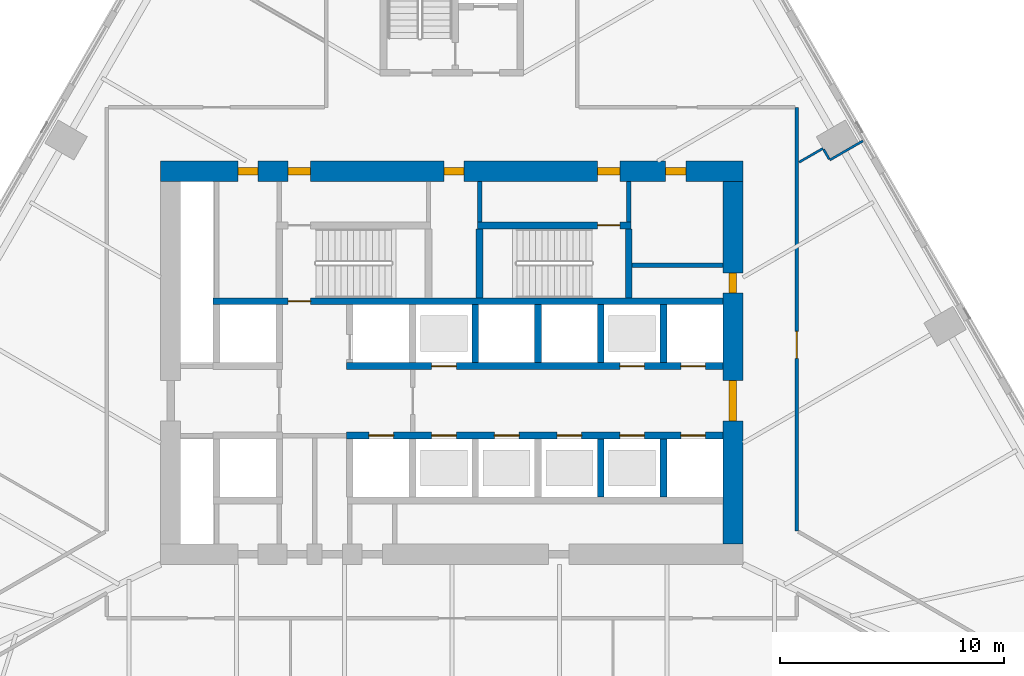
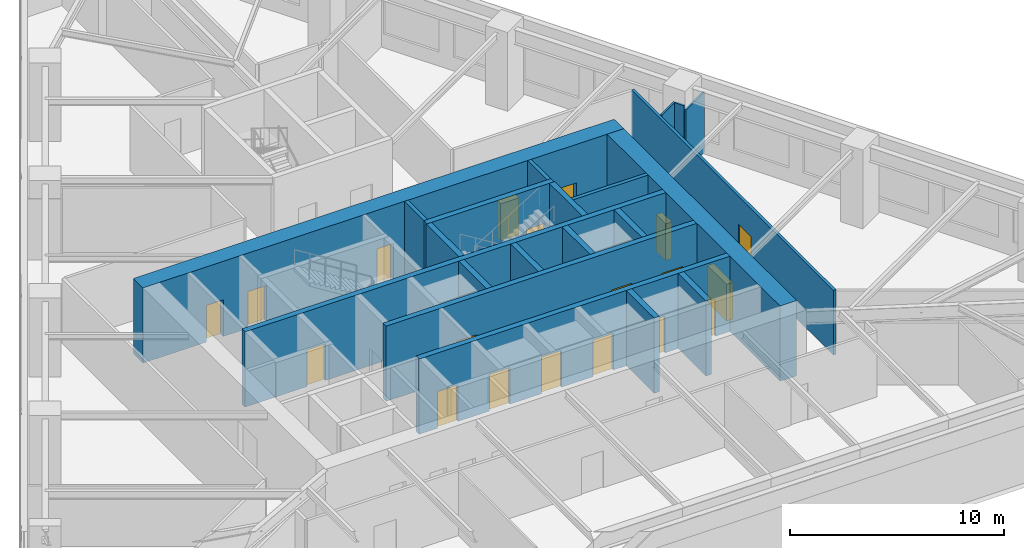
# One storey, part 5 of 14: 21 walls, 19 doors, 19 openings.
"""IFC4 building model written with IfcOpenShell, lengths in metres."""

from ifc_helpers import new_model, si_unit, direction, frame, frame_2d, origin, place, context, subcontext, project, spatial, rectangle, extrude, material, layer, layer_set, type_object, element, fill, save


model = new_model("IFC4")

# Units and contexts
model_context = context("Model", 3, precision=1e-05, world=origin(), true_north=direction((0.0, 1.0)))
body_context = subcontext(model_context, "Body", "Model", "MODEL_VIEW")
ifc_project = project(units=[si_unit("LENGTHUNIT", "METRE"), si_unit("AREAUNIT", "SQUARE_METRE"), si_unit("VOLUMEUNIT", "CUBIC_METRE"), si_unit("PLANEANGLEUNIT", "RADIAN"), si_unit("MASSUNIT", "GRAM", prefix="KILO")], contexts=[model_context])

# Site, building, storey
site_placement = place(None, origin())
site = spatial("IfcSite", under=ifc_project, at=site_placement, CompositionType="ELEMENT")
building_placement = place(site_placement, origin())
building = spatial("IfcBuilding", under=site, at=building_placement, Name="Firuza Gate Tower and Library", CompositionType="ELEMENT")
storey_placement = place(building_placement, frame((0.0, 0.0, 35.5)))
storey = spatial("IfcBuildingStorey", under=building, at=storey_placement, Name="L07", CompositionType="ELEMENT", Elevation=35.5)

# Walls
ifc_material_1 = material(Name="Plasterboard on steel studs", Category="steel")
ifc_layer_1 = layer(ifc_material_1, 0.199951171875)
ifc_layer_set_1 = layer_set([ifc_layer_1], Name="Core partition 200 EI 120")
wall_type_1 = type_object("IfcWallType", Name="Core partition 200 EI 120", PredefinedType="PARTITIONING", material=ifc_layer_set_1)
wall_1_placement = place(storey_placement, frame((83.050048828125, 79.35498046875, 0.0), z_axis=(0.0, 0.0, 1.0), x_axis=(1.0, 0.0, 0.0)))
element("IfcWall", 1, at=wall_1_placement, inside=storey, type_object=wall_type_1, Name="Core partition L07 4", PredefinedType="PARTITIONING", context=body_context, shape_type="SweptSolid", body=[
    extrude(rectangle(XDim=4.050048828125, YDim=0.199951171875, at=frame_2d((2.02490234375, 0.0))), origin(), (0.0, 0.0, 1.0), 4.300048828125),
])
for number, where, z_axis, x_axis, name in (
    (2, (76.239990234375, 81.280029296875, 0.0), (0.0, 0.0, 1.0), (0.0, 1.0, 0.0), "Core partition L07 15"),
    (3, (82.89990234375, 81.280029296875, 0.0), (0.0, 0.0, 1.0), (0.0, 1.0, 0.0), "Core partition L07 16"),
):
    element("IfcWall", number, at=place(storey_placement, frame(where, z_axis=z_axis, x_axis=x_axis)), inside=storey, type_object=wall_type_1, Name=name, PredefinedType="PARTITIONING", context=body_context, shape_type="SweptSolid", body=[
        extrude(rectangle(XDim=1.820068359375, YDim=0.199951171875, at=frame_2d((0.91015625, 0.0))), origin(), (0.0, 0.0, 1.0), 4.300048828125),
    ])

# Wall, openings, doors
ifc_material_2 = material(Name="Concrete C80/95", Category="concrete")
ifc_layer_2 = layer(ifc_material_2, 0.300048828125)
ifc_layer_set_2 = layer_set([ifc_layer_2], Name="Core wall 300 C80/95")
wall_type_2 = type_object("IfcWallType", Name="Core wall 300 C80/95", PredefinedType="SHEAR", material=ifc_layer_set_2)
wall_2_placement = place(storey_placement, frame((70.300048828125, 71.75, 0.0), z_axis=(0.0, 0.0, 1.0), x_axis=(1.0, 0.0, 0.0)))
wall_2 = element("IfcWall", 4, at=wall_2_placement, inside=storey, type_object=wall_type_2, Name="Core wall L07 8", PredefinedType="SHEAR", context=body_context, shape_type="SweptSolid", body=[
    extrude(rectangle(XDim=16.800048828125, YDim=0.300048828125, at=frame_2d((8.39990234375, 0.0))), origin(), (0.0, 0.0, 1.0), 4.300048828125),
])
opening_1_placement = place(wall_2_placement, frame((1.0, 0.0, 0.0)))
opening_1 = element("IfcOpeningElement", 5, at=opening_1_placement, cuts=wall_2, Name="Opening LD-FF1-L07", PredefinedType="OPENING", context=body_context, shape_type="SweptSolid", body=[
    extrude(rectangle(XDim=1.10009765625, YDim=2.10009765625, at=frame_2d((0.550048828125, 1.050048828125))), frame((0.0, 0.16015625, 0.0), z_axis=(0.0, -1.0, 0.0), x_axis=(1.0, 0.0, 0.0)), (0.0, 0.0, 1.0), 0.320068359375),
])
opening_2_placement = place(wall_2_placement, frame((3.800048828125, 0.0, 0.0)))
opening_2 = element("IfcOpeningElement", 6, at=opening_2_placement, cuts=wall_2, Name="Opening LD-LR1-L07", PredefinedType="OPENING", context=body_context, shape_type="SweptSolid", body=[
    extrude(rectangle(XDim=1.10009765625, YDim=2.10009765625, at=frame_2d((0.550048828125, 1.050048828125))), frame((0.0, 0.16015625, 0.0), z_axis=(0.0, -1.0, 0.0), x_axis=(1.0, 0.0, 0.0)), (0.0, 0.0, 1.0), 0.320068359375),
])
opening_3_placement = place(wall_2_placement, frame((6.60009765625, 0.0, 0.0)))
opening_3 = element("IfcOpeningElement", 7, at=opening_3_placement, cuts=wall_2, Name="Opening LD-LR2-L07", PredefinedType="OPENING", context=body_context, shape_type="SweptSolid", body=[
    extrude(rectangle(XDim=1.10009765625, YDim=2.10009765625, at=frame_2d((0.550048828125, 1.050048828125))), frame((0.0, 0.16015625, 0.0), z_axis=(0.0, -1.0, 0.0), x_axis=(1.0, 0.0, 0.0)), (0.0, 0.0, 1.0), 0.320068359375),
])
opening_4_placement = place(wall_2_placement, frame((9.39990234375, 0.0, 0.0)))
opening_4 = element("IfcOpeningElement", 8, at=opening_4_placement, cuts=wall_2, Name="Opening LD-LR3-L07", PredefinedType="OPENING", context=body_context, shape_type="SweptSolid", body=[
    extrude(rectangle(XDim=1.10009765625, YDim=2.10009765625, at=frame_2d((0.550048828125, 1.050048828125))), frame((0.0, 0.16015625, 0.0), z_axis=(0.0, -1.0, 0.0), x_axis=(1.0, 0.0, 0.0)), (0.0, 0.0, 1.0), 0.320068359375),
])
opening_5_placement = place(wall_2_placement, frame((12.199951171875, 0.0, 0.0)))
opening_5 = element("IfcOpeningElement", 9, at=opening_5_placement, cuts=wall_2, Name="Opening LD-LR5-L07", PredefinedType="OPENING", context=body_context, shape_type="SweptSolid", body=[
    extrude(rectangle(XDim=1.10009765625, YDim=2.10009765625, at=frame_2d((0.550048828125, 1.050048828125))), frame((0.0, 0.16015625, 0.0), z_axis=(0.0, -1.0, 0.0), x_axis=(1.0, 0.0, 0.0)), (0.0, 0.0, 1.0), 0.320068359375),
])
opening_6_placement = place(wall_2_placement, frame((14.925048828125, 0.0, 0.0)))
opening_6 = element("IfcOpeningElement", 10, at=opening_6_placement, cuts=wall_2, Name="Opening LD-LR7-L07", PredefinedType="OPENING", context=body_context, shape_type="SweptSolid", body=[
    extrude(rectangle(XDim=1.10009765625, YDim=2.10009765625, at=frame_2d((0.550048828125, 1.050048828125))), frame((0.0, 0.16015625, 0.0), z_axis=(0.0, -1.0, 0.0), x_axis=(1.0, 0.0, 0.0)), (0.0, 0.0, 1.0), 0.320068359375),
])
ifc_material_3 = material(Name="Stainless steel", Category="steel")
door_type_1 = type_object("IfcDoorType", Name="Lift landing door 1100x2100", OperationType="DOUBLE_DOOR_SLIDING", PredefinedType="DOOR", material=ifc_material_3)
door_1_placement = place(opening_1_placement, origin())
door_1 = element("IfcDoor", 11, at=door_1_placement, inside=storey, type_object=door_type_1, Name="Landing door FF1 L07", OperationType="DOUBLE_DOOR_SLIDING", OverallHeight=2.10009765625, OverallWidth=1.10009765625, PredefinedType="DOOR", context=body_context, shape_type="SweptSolid", body=[
    extrude(rectangle(XDim=1.10009765625, YDim=2.10009765625, at=frame_2d((0.550048828125, 1.050048828125))), frame((0.0, 0.02490234375, 0.0), z_axis=(0.0, -1.0, 0.0), x_axis=(1.0, 0.0, 0.0)), (0.0, 0.0, 1.0), 0.050048828125),
])
fill(opening_1, door_1)
door_2_placement = place(opening_2_placement, origin())
door_2 = element("IfcDoor", 12, at=door_2_placement, inside=storey, type_object=door_type_1, Name="Landing door LR1 L07", OperationType="DOUBLE_DOOR_SLIDING", OverallHeight=2.10009765625, OverallWidth=1.10009765625, PredefinedType="DOOR", context=body_context, shape_type="SweptSolid", body=[
    extrude(rectangle(XDim=1.10009765625, YDim=2.10009765625, at=frame_2d((0.550048828125, 1.050048828125))), frame((0.0, 0.02490234375, 0.0), z_axis=(0.0, -1.0, 0.0), x_axis=(1.0, 0.0, 0.0)), (0.0, 0.0, 1.0), 0.050048828125),
])
fill(opening_2, door_2)
door_3_placement = place(opening_3_placement, origin())
door_3 = element("IfcDoor", 13, at=door_3_placement, inside=storey, type_object=door_type_1, Name="Landing door LR2 L07", OperationType="DOUBLE_DOOR_SLIDING", OverallHeight=2.10009765625, OverallWidth=1.10009765625, PredefinedType="DOOR", context=body_context, shape_type="SweptSolid", body=[
    extrude(rectangle(XDim=1.10009765625, YDim=2.10009765625, at=frame_2d((0.550048828125, 1.050048828125))), frame((0.0, 0.02490234375, 0.0), z_axis=(0.0, -1.0, 0.0), x_axis=(1.0, 0.0, 0.0)), (0.0, 0.0, 1.0), 0.050048828125),
])
fill(opening_3, door_3)
door_4_placement = place(opening_4_placement, origin())
door_4 = element("IfcDoor", 14, at=door_4_placement, inside=storey, type_object=door_type_1, Name="Landing door LR3 L07", OperationType="DOUBLE_DOOR_SLIDING", OverallHeight=2.10009765625, OverallWidth=1.10009765625, PredefinedType="DOOR", context=body_context, shape_type="SweptSolid", body=[
    extrude(rectangle(XDim=1.10009765625, YDim=2.10009765625, at=frame_2d((0.550048828125, 1.050048828125))), frame((0.0, 0.02490234375, 0.0), z_axis=(0.0, -1.0, 0.0), x_axis=(1.0, 0.0, 0.0)), (0.0, 0.0, 1.0), 0.050048828125),
])
fill(opening_4, door_4)
door_5_placement = place(opening_5_placement, origin())
door_5 = element("IfcDoor", 15, at=door_5_placement, inside=storey, type_object=door_type_1, Name="Landing door LR5 L07", OperationType="DOUBLE_DOOR_SLIDING", OverallHeight=2.10009765625, OverallWidth=1.10009765625, PredefinedType="DOOR", context=body_context, shape_type="SweptSolid", body=[
    extrude(rectangle(XDim=1.10009765625, YDim=2.10009765625, at=frame_2d((0.550048828125, 1.050048828125))), frame((0.0, 0.02490234375, 0.0), z_axis=(0.0, -1.0, 0.0), x_axis=(1.0, 0.0, 0.0)), (0.0, 0.0, 1.0), 0.050048828125),
])
fill(opening_5, door_5)
door_6_placement = place(opening_6_placement, origin())
door_6 = element("IfcDoor", 16, at=door_6_placement, inside=storey, type_object=door_type_1, Name="Landing door LR7 L07", OperationType="DOUBLE_DOOR_SLIDING", OverallHeight=2.10009765625, OverallWidth=1.10009765625, PredefinedType="DOOR", context=body_context, shape_type="SweptSolid", body=[
    extrude(rectangle(XDim=1.10009765625, YDim=2.10009765625, at=frame_2d((0.550048828125, 1.050048828125))), frame((0.0, 0.02490234375, 0.0), z_axis=(0.0, -1.0, 0.0), x_axis=(1.0, 0.0, 0.0)), (0.0, 0.0, 1.0), 0.050048828125),
])
fill(opening_6, door_6)

wall_3_placement = place(storey_placement, frame((70.300048828125, 74.85009765625, 0.0), z_axis=(0.0, 0.0, 1.0), x_axis=(1.0, 0.0, 0.0)))
wall_3 = element("IfcWall", 17, at=wall_3_placement, inside=storey, type_object=wall_type_2, Name="Core wall L07 10", PredefinedType="SHEAR", context=body_context, shape_type="SweptSolid", body=[
    extrude(rectangle(XDim=16.800048828125, YDim=0.300048828125, at=frame_2d((8.39990234375, 0.0))), origin(), (0.0, 0.0, 1.0), 4.300048828125),
])
opening_7_placement = place(wall_3_placement, frame((3.800048828125, 0.0, 0.0)))
opening_7 = element("IfcOpeningElement", 18, at=opening_7_placement, cuts=wall_3, Name="Opening LD-LR4-L07", PredefinedType="OPENING", context=body_context, shape_type="SweptSolid", body=[
    extrude(rectangle(XDim=1.10009765625, YDim=2.10009765625, at=frame_2d((0.550048828125, 1.050048828125))), frame((0.0, 0.16015625, 0.0), z_axis=(0.0, -1.0, 0.0), x_axis=(1.0, 0.0, 0.0)), (0.0, 0.0, 1.0), 0.320068359375),
])
opening_8_placement = place(wall_3_placement, frame((12.199951171875, 0.0, 0.0)))
opening_8 = element("IfcOpeningElement", 19, at=opening_8_placement, cuts=wall_3, Name="Opening LD-LR6-L07", PredefinedType="OPENING", context=body_context, shape_type="SweptSolid", body=[
    extrude(rectangle(XDim=1.10009765625, YDim=2.10009765625, at=frame_2d((0.550048828125, 1.050048828125))), frame((0.0, 0.16015625, 0.0), z_axis=(0.0, -1.0, 0.0), x_axis=(1.0, 0.0, 0.0)), (0.0, 0.0, 1.0), 0.320068359375),
])
opening_9_placement = place(wall_3_placement, frame((14.925048828125, 0.0, 0.0)))
opening_9 = element("IfcOpeningElement", 20, at=opening_9_placement, cuts=wall_3, Name="Opening LD-LR8-L07", PredefinedType="OPENING", context=body_context, shape_type="SweptSolid", body=[
    extrude(rectangle(XDim=1.10009765625, YDim=2.10009765625, at=frame_2d((0.550048828125, 1.050048828125))), frame((0.0, 0.16015625, 0.0), z_axis=(0.0, -1.0, 0.0), x_axis=(1.0, 0.0, 0.0)), (0.0, 0.0, 1.0), 0.320068359375),
])
door_7_placement = place(opening_7_placement, origin())
door_7 = element("IfcDoor", 21, at=door_7_placement, inside=storey, type_object=door_type_1, Name="Landing door LR4 L07", OperationType="DOUBLE_DOOR_SLIDING", OverallHeight=2.10009765625, OverallWidth=1.10009765625, PredefinedType="DOOR", context=body_context, shape_type="SweptSolid", body=[
    extrude(rectangle(XDim=1.10009765625, YDim=2.10009765625, at=frame_2d((0.550048828125, 1.050048828125))), frame((0.0, 0.02490234375, 0.0), z_axis=(0.0, -1.0, 0.0), x_axis=(1.0, 0.0, 0.0)), (0.0, 0.0, 1.0), 0.050048828125),
])
fill(opening_7, door_7)
door_8_placement = place(opening_8_placement, origin())
door_8 = element("IfcDoor", 22, at=door_8_placement, inside=storey, type_object=door_type_1, Name="Landing door LR6 L07", OperationType="DOUBLE_DOOR_SLIDING", OverallHeight=2.10009765625, OverallWidth=1.10009765625, PredefinedType="DOOR", context=body_context, shape_type="SweptSolid", body=[
    extrude(rectangle(XDim=1.10009765625, YDim=2.10009765625, at=frame_2d((0.550048828125, 1.050048828125))), frame((0.0, 0.02490234375, 0.0), z_axis=(0.0, -1.0, 0.0), x_axis=(1.0, 0.0, 0.0)), (0.0, 0.0, 1.0), 0.050048828125),
])
fill(opening_8, door_8)
door_9_placement = place(opening_9_placement, origin())
door_9 = element("IfcDoor", 23, at=door_9_placement, inside=storey, type_object=door_type_1, Name="Landing door LR8 L07", OperationType="DOUBLE_DOOR_SLIDING", OverallHeight=2.10009765625, OverallWidth=1.10009765625, PredefinedType="DOOR", context=body_context, shape_type="SweptSolid", body=[
    extrude(rectangle(XDim=1.10009765625, YDim=2.10009765625, at=frame_2d((0.550048828125, 1.050048828125))), frame((0.0, 0.02490234375, 0.0), z_axis=(0.0, -1.0, 0.0), x_axis=(1.0, 0.0, 0.0)), (0.0, 0.0, 1.0), 0.050048828125),
])
fill(opening_9, door_9)

# Walls
for number, where, z_axis, x_axis, name in (
    (24, (76.050048828125, 75.0, 0.0), (0.0, 0.0, 1.0), (0.0, 1.0, 0.0), "Core wall L07 20"),
    (25, (78.85009765625, 75.0, 0.0), (0.0, 0.0, 1.0), (0.0, 1.0, 0.0), "Core wall L07 22"),
    (26, (81.64990234375, 69.0, 0.0), (0.0, 0.0, 1.0), (0.0, 1.0, 0.0), "Core wall L07 23"),
    (27, (81.64990234375, 75.0, 0.0), (0.0, 0.0, 1.0), (0.0, 1.0, 0.0), "Core wall L07 24"),
    (28, (84.449951171875, 69.0, 0.0), (0.0, 0.0, 1.0), (0.0, 1.0, 0.0), "Core wall L07 25"),
    (29, (84.449951171875, 75.0, 0.0), (0.0, 0.0, 1.0), (0.0, 1.0, 0.0), "Core wall L07 26"),
):
    element("IfcWall", number, at=place(storey_placement, frame(where, z_axis=z_axis, x_axis=x_axis)), inside=storey, type_object=wall_type_2, Name=name, PredefinedType="SHEAR", context=body_context, shape_type="SweptSolid", body=[
        extrude(rectangle(XDim=2.60009765625, YDim=0.300048828125, at=frame_2d((1.300048828125, 0.0))), origin(), (0.0, 0.0, 1.0), 4.300048828125),
    ])

# Wall, opening, door
wall_4_placement = place(storey_placement, frame((64.35009765625, 77.75, 0.0), z_axis=(0.0, 0.0, 1.0), x_axis=(1.0, 0.0, 0.0)))
wall_4 = element("IfcWall", 30, at=wall_4_placement, inside=storey, type_object=wall_type_2, Name="Core wall L07 27", PredefinedType="SHEAR", context=body_context, shape_type="SweptSolid", body=[
    extrude(rectangle(XDim=22.75, YDim=0.300048828125, at=frame_2d((11.375, 0.0))), origin(), (0.0, 0.0, 1.0), 4.300048828125),
])
opening_10_placement = place(wall_4_placement, frame((3.344970703125, 0.0, 0.0)))
opening_10 = element("IfcOpeningElement", 31, at=opening_10_placement, cuts=wall_4, Name="Opening L07-K12", PredefinedType="OPENING", context=body_context, shape_type="SweptSolid", body=[
    extrude(rectangle(XDim=1.0, YDim=2.10009765625, at=frame_2d((0.5, 1.050048828125))), frame((0.0, 0.16015625, 0.0), z_axis=(0.0, -1.0, 0.0), x_axis=(1.0, 0.0, 0.0)), (0.0, 0.0, 1.0), 0.320068359375),
])
ifc_material_4 = material(Name="Steel", Category="steel")
door_type_2 = type_object("IfcDoorType", Name="Fire door 1000x2100 FD90", OperationType="NOTDEFINED", PredefinedType="DOOR", material=ifc_material_4)
door_10_placement = place(opening_10_placement, origin())
door_10 = element("IfcDoor", 32, at=door_10_placement, inside=storey, type_object=door_type_2, Name="Door L07-K12", OperationType="SINGLE_SWING_LEFT", OverallHeight=2.10009765625, OverallWidth=1.0, PredefinedType="DOOR", context=body_context, shape_type="SweptSolid", body=[
    extrude(rectangle(XDim=1.0, YDim=2.10009765625, at=frame_2d((0.5, 1.050048828125))), frame((0.0, 0.02490234375, 0.0), z_axis=(0.0, -1.0, 0.0), x_axis=(1.0, 0.0, 0.0)), (0.0, 0.0, 1.0), 0.050048828125),
])
fill(opening_10, door_10)

wall_5_placement = place(storey_placement, frame((76.139892578125, 81.1298828125, 0.0), z_axis=(0.0, 0.0, 1.0), x_axis=(1.0, 0.0, 0.0)))
wall_5 = element("IfcWall", 33, at=wall_5_placement, inside=storey, type_object=wall_type_2, Name="Core wall L07 29", PredefinedType="SHEAR", context=body_context, shape_type="SweptSolid", body=[
    extrude(rectangle(XDim=6.860107421875, YDim=0.300048828125, at=frame_2d((3.43017578125, 0.0))), origin(), (0.0, 0.0, 1.0), 4.300048828125),
])
opening_11_placement = place(wall_5_placement, frame((5.364990234375, 0.0, 0.0)))
opening_11 = element("IfcOpeningElement", 34, at=opening_11_placement, cuts=wall_5, Name="Opening L07-K15", PredefinedType="OPENING", context=body_context, shape_type="SweptSolid", body=[
    extrude(rectangle(XDim=1.0, YDim=2.10009765625, at=frame_2d((0.5, 1.050048828125))), frame((0.0, 0.16015625, 0.0), z_axis=(0.0, -1.0, 0.0), x_axis=(1.0, 0.0, 0.0)), (0.0, 0.0, 1.0), 0.320068359375),
])
door_11_placement = place(opening_11_placement, origin())
door_11 = element("IfcDoor", 35, at=door_11_placement, inside=storey, type_object=door_type_2, Name="Door L07-K15", OperationType="SINGLE_SWING_RIGHT", OverallHeight=2.10009765625, OverallWidth=1.0, PredefinedType="DOOR", context=body_context, shape_type="SweptSolid", body=[
    extrude(rectangle(XDim=1.0, YDim=2.10009765625, at=frame_2d((0.5, 1.050048828125))), frame((0.0, 0.02490234375, 0.0), z_axis=(0.0, -1.0, 0.0), x_axis=(1.0, 0.0, 0.0)), (0.0, 0.0, 1.0), 0.050048828125),
])
fill(opening_11, door_11)

# Walls
for number, where, z_axis, x_axis, name in (
    (36, (76.239990234375, 77.89990234375, 0.0), (0.0, 0.0, 1.0), (0.0, 1.0, 0.0), "Core wall L07 32"),
    (37, (82.89990234375, 77.89990234375, 0.0), (0.0, 0.0, 1.0), (0.0, 1.0, 0.0), "Core wall L07 33"),
):
    element("IfcWall", number, at=place(storey_placement, frame(where, z_axis=z_axis, x_axis=x_axis)), inside=storey, type_object=wall_type_2, Name=name, PredefinedType="SHEAR", context=body_context, shape_type="SweptSolid", body=[
        extrude(rectangle(XDim=3.080078125, YDim=0.300048828125, at=frame_2d((1.5400390625, 0.0))), origin(), (0.0, 0.0, 1.0), 4.300048828125),
    ])

# Wall, openings, doors
ifc_material_5 = material(Name="Concrete C80/95", Category="concrete")
ifc_layer_3 = layer(ifc_material_5, 0.89990234375)
ifc_layer_set_3 = layer_set([ifc_layer_3], Name="Core wall 900 C80/95")
wall_type_3 = type_object("IfcWallType", Name="Core wall 900 C80/95", PredefinedType="SHEAR", material=ifc_layer_set_3)
wall_6_placement = place(storey_placement, frame((62.0, 83.550048828125, 0.0), z_axis=(0.0, 0.0, 1.0), x_axis=(1.0, 0.0, 0.0)))
wall_6 = element("IfcWall", 38, at=wall_6_placement, inside=storey, type_object=wall_type_3, Name="Core wall L07 2", PredefinedType="SHEAR", context=body_context, shape_type="SweptSolid", body=[
    extrude(rectangle(XDim=26.0, YDim=0.89990234375, at=frame_2d((13.0, 0.0))), origin(), (0.0, 0.0, 1.0), 4.300048828125),
])
opening_12_placement = place(wall_6_placement, frame((5.695068359375, 0.0, 0.0)))
opening_12 = element("IfcOpeningElement", 39, at=opening_12_placement, cuts=wall_6, Name="Opening L07-K14", PredefinedType="OPENING", context=body_context, shape_type="SweptSolid", body=[
    extrude(rectangle(XDim=1.0, YDim=2.10009765625, at=frame_2d((0.5, 1.050048828125))), frame((0.0, 0.4599609375, 0.0), z_axis=(0.0, -1.0, 0.0), x_axis=(1.0, 0.0, 0.0)), (0.0, 0.0, 1.0), 0.919921875),
])
opening_13_placement = place(wall_6_placement, frame((19.5048828125, 0.0, 0.0)))
opening_13 = element("IfcOpeningElement", 40, at=opening_13_placement, cuts=wall_6, Name="Opening L07-K16", PredefinedType="OPENING", context=body_context, shape_type="SweptSolid", body=[
    extrude(rectangle(XDim=1.0, YDim=2.10009765625, at=frame_2d((0.5, 1.050048828125))), frame((0.0, 0.4599609375, 0.0), z_axis=(0.0, -1.0, 0.0), x_axis=(1.0, 0.0, 0.0)), (0.0, 0.0, 1.0), 0.919921875),
])
opening_14_placement = place(wall_6_placement, frame((3.449951171875, 0.0, 0.0)))
opening_14 = element("IfcOpeningElement", 41, at=opening_14_placement, cuts=wall_6, Name="Opening L07-K29", PredefinedType="OPENING", context=body_context, shape_type="SweptSolid", body=[
    extrude(rectangle(XDim=0.89990234375, YDim=2.10009765625, at=frame_2d((0.449951171875, 1.050048828125))), frame((0.0, 0.4599609375, 0.0), z_axis=(0.0, -1.0, 0.0), x_axis=(1.0, 0.0, 0.0)), (0.0, 0.0, 1.0), 0.919921875),
])
opening_15_placement = place(wall_6_placement, frame((12.64990234375, 0.0, 0.0)))
opening_15 = element("IfcOpeningElement", 42, at=opening_15_placement, cuts=wall_6, Name="Opening L07-K30", PredefinedType="OPENING", context=body_context, shape_type="SweptSolid", body=[
    extrude(rectangle(XDim=0.89990234375, YDim=2.10009765625, at=frame_2d((0.449951171875, 1.050048828125))), frame((0.0, 0.4599609375, 0.0), z_axis=(0.0, -1.0, 0.0), x_axis=(1.0, 0.0, 0.0)), (0.0, 0.0, 1.0), 0.919921875),
])
opening_16_placement = place(wall_6_placement, frame((22.550048828125, 0.0, 0.0)))
opening_16 = element("IfcOpeningElement", 43, at=opening_16_placement, cuts=wall_6, Name="Opening L07-K32", PredefinedType="OPENING", context=body_context, shape_type="SweptSolid", body=[
    extrude(rectangle(XDim=0.89990234375, YDim=2.10009765625, at=frame_2d((0.449951171875, 1.050048828125))), frame((0.0, 0.4599609375, 0.0), z_axis=(0.0, -1.0, 0.0), x_axis=(1.0, 0.0, 0.0)), (0.0, 0.0, 1.0), 0.919921875),
])
door_12_placement = place(opening_12_placement, origin())
door_12 = element("IfcDoor", 44, at=door_12_placement, inside=storey, type_object=door_type_2, Name="Door L07-K14", OperationType="SINGLE_SWING_LEFT", OverallHeight=2.10009765625, OverallWidth=1.0, PredefinedType="DOOR", context=body_context, shape_type="SweptSolid", body=[
    extrude(rectangle(XDim=1.0, YDim=2.10009765625, at=frame_2d((0.5, 1.050048828125))), frame((0.0, 0.169921875, 0.0), z_axis=(0.0, -1.0, 0.0), x_axis=(1.0, 0.0, 0.0)), (0.0, 0.0, 1.0), 0.33984375),
])
fill(opening_12, door_12)
door_13_placement = place(opening_13_placement, origin())
door_13 = element("IfcDoor", 45, at=door_13_placement, inside=storey, type_object=door_type_2, Name="Door L07-K16", OperationType="SINGLE_SWING_LEFT", OverallHeight=2.10009765625, OverallWidth=1.0, PredefinedType="DOOR", context=body_context, shape_type="SweptSolid", body=[
    extrude(rectangle(XDim=1.0, YDim=2.10009765625, at=frame_2d((0.5, 1.050048828125))), frame((0.0, 0.169921875, 0.0), z_axis=(0.0, -1.0, 0.0), x_axis=(1.0, 0.0, 0.0)), (0.0, 0.0, 1.0), 0.33984375),
])
fill(opening_13, door_13)
ifc_material_6 = material(Name="Steel", Category="steel")
door_type_3 = type_object("IfcDoorType", Name="Fire door 900x2100 FD30S", OperationType="NOTDEFINED", PredefinedType="DOOR", material=ifc_material_6)
door_14_placement = place(opening_14_placement, origin())
door_14 = element("IfcDoor", 46, at=door_14_placement, inside=storey, type_object=door_type_3, Name="Door L07-K29", OperationType="SINGLE_SWING_RIGHT", OverallHeight=2.10009765625, OverallWidth=0.89990234375, PredefinedType="DOOR", context=body_context, shape_type="SweptSolid", body=[
    extrude(rectangle(XDim=0.89990234375, YDim=2.10009765625, at=frame_2d((0.449951171875, 1.050048828125))), frame((0.0, 0.169921875, 0.0), z_axis=(0.0, -1.0, 0.0), x_axis=(1.0, 0.0, 0.0)), (0.0, 0.0, 1.0), 0.33984375),
])
fill(opening_14, door_14)
door_15_placement = place(opening_15_placement, origin())
door_15 = element("IfcDoor", 47, at=door_15_placement, inside=storey, type_object=door_type_3, Name="Door L07-K30", OperationType="SINGLE_SWING_LEFT", OverallHeight=2.10009765625, OverallWidth=0.89990234375, PredefinedType="DOOR", context=body_context, shape_type="SweptSolid", body=[
    extrude(rectangle(XDim=0.89990234375, YDim=2.10009765625, at=frame_2d((0.449951171875, 1.050048828125))), frame((0.0, 0.169921875, 0.0), z_axis=(0.0, -1.0, 0.0), x_axis=(1.0, 0.0, 0.0)), (0.0, 0.0, 1.0), 0.33984375),
])
fill(opening_15, door_15)
door_16_placement = place(opening_16_placement, origin())
door_16 = element("IfcDoor", 48, at=door_16_placement, inside=storey, type_object=door_type_3, Name="Door L07-K32", OperationType="SINGLE_SWING_LEFT", OverallHeight=2.10009765625, OverallWidth=0.89990234375, PredefinedType="DOOR", context=body_context, shape_type="SweptSolid", body=[
    extrude(rectangle(XDim=0.89990234375, YDim=2.10009765625, at=frame_2d((0.449951171875, 1.050048828125))), frame((0.0, 0.169921875, 0.0), z_axis=(0.0, -1.0, 0.0), x_axis=(1.0, 0.0, 0.0)), (0.0, 0.0, 1.0), 0.33984375),
])
fill(opening_16, door_16)

wall_7_placement = place(storey_placement, frame((87.550048828125, 66.89990234375, 0.0), z_axis=(0.0, 0.0, 1.0), x_axis=(0.0, 1.0, 0.0)))
wall_7 = element("IfcWall", 49, at=wall_7_placement, inside=storey, type_object=wall_type_3, Name="Core wall L07 4", PredefinedType="SHEAR", context=body_context, shape_type="SweptSolid", body=[
    extrude(rectangle(XDim=16.2001953125, YDim=0.89990234375, at=frame_2d((8.10009765625, 0.0))), origin(), (0.0, 0.0, 1.0), 4.300048828125),
])
opening_17_placement = place(wall_7_placement, frame((5.5, 0.0, 0.0)))
opening_17 = element("IfcOpeningElement", 50, at=opening_17_placement, cuts=wall_7, Name="Opening L07-K23", PredefinedType="OPENING", context=body_context, shape_type="SweptSolid", body=[
    extrude(rectangle(XDim=1.800048828125, YDim=2.10009765625, at=frame_2d((0.89990234375, 1.050048828125))), frame((0.0, 0.4599609375, 0.0), z_axis=(0.0, -1.0, 0.0), x_axis=(1.0, 0.0, 0.0)), (0.0, 0.0, 1.0), 0.919921875),
])
opening_18_placement = place(wall_7_placement, frame((11.202392578125, 0.0, 0.0)))
opening_18 = element("IfcOpeningElement", 51, at=opening_18_placement, cuts=wall_7, Name="Opening L07-K31", PredefinedType="OPENING", context=body_context, shape_type="SweptSolid", body=[
    extrude(rectangle(XDim=0.89990234375, YDim=2.10009765625, at=frame_2d((0.449951171875, 1.050048828125))), frame((0.0, 0.4599609375, 0.0), z_axis=(0.0, -1.0, 0.0), x_axis=(1.0, 0.0, 0.0)), (0.0, 0.0, 1.0), 0.919921875),
])
ifc_material_7 = material(Name="Steel", Category="steel")
door_type_4 = type_object("IfcDoorType", Name="Fire door 1800x2100 FD30S", OperationType="NOTDEFINED", PredefinedType="DOOR", material=ifc_material_7)
door_17_placement = place(opening_17_placement, origin())
door_17 = element("IfcDoor", 52, at=door_17_placement, inside=storey, type_object=door_type_4, Name="Door L07-K23", OperationType="SINGLE_SWING_RIGHT", OverallHeight=2.10009765625, OverallWidth=1.800048828125, PredefinedType="DOOR", context=body_context, shape_type="SweptSolid", body=[
    extrude(rectangle(XDim=1.800048828125, YDim=2.10009765625, at=frame_2d((0.89990234375, 1.050048828125))), frame((0.0, 0.169921875, 0.0), z_axis=(0.0, -1.0, 0.0), x_axis=(1.0, 0.0, 0.0)), (0.0, 0.0, 1.0), 0.33984375),
])
fill(opening_17, door_17)
door_18_placement = place(opening_18_placement, origin())
door_18 = element("IfcDoor", 53, at=door_18_placement, inside=storey, type_object=door_type_3, Name="Door L07-K31", OperationType="SINGLE_SWING_RIGHT", OverallHeight=2.10009765625, OverallWidth=0.89990234375, PredefinedType="DOOR", context=body_context, shape_type="SweptSolid", body=[
    extrude(rectangle(XDim=0.89990234375, YDim=2.10009765625, at=frame_2d((0.449951171875, 1.050048828125))), frame((0.0, 0.169921875, 0.0), z_axis=(0.0, -1.0, 0.0), x_axis=(1.0, 0.0, 0.0)), (0.0, 0.0, 1.0), 0.33984375),
])
fill(opening_18, door_18)

# Wall, opening, door
ifc_material_8 = material(Name="Gypsum board partition")
ifc_layer_4 = layer(ifc_material_8, 0.14990234375)
ifc_layer_set_4 = layer_set([ifc_layer_4], Name="Corridor wall 150 double board on steel studs")
wall_type_4 = type_object("IfcWallType", Name="Corridor wall 150 double board on steel studs", PredefinedType="PARTITIONING", material=ifc_layer_set_4)
wall_8_placement = place(storey_placement, frame((90.39990234375, 86.3994140625, 0.0), z_axis=(0.0, 0.0, 1.0), x_axis=(0.0, -1.0, 0.0)))
wall_8 = element("IfcWall", 54, at=wall_8_placement, inside=storey, type_object=wall_type_4, Name="f:L07:w018", PredefinedType="PARTITIONING", context=body_context, shape_type="SweptSolid", body=[
    extrude(rectangle(XDim=18.905029296875, YDim=0.14990234375, at=frame_2d((9.45263671875, 0.0))), origin(), (0.0, 0.0, 1.0), 3.699951171875),
])
opening_19_placement = place(wall_8_placement, frame((10.0048828125, 0.0, 0.0)))
opening_19 = element("IfcOpeningElement", 55, at=opening_19_placement, cuts=wall_8, Name="Opening L07-09", PredefinedType="OPENING", context=body_context, shape_type="SweptSolid", body=[
    extrude(rectangle(XDim=1.199951171875, YDim=2.10009765625, at=frame_2d((0.60009765625, 1.050048828125))), frame((0.0, 0.0849609375, 0.0), z_axis=(0.0, -1.0, 0.0), x_axis=(1.0, 0.0, 0.0)), (0.0, 0.0, 1.0), 0.169921875),
])
ifc_material_9 = material(Name="Steel door and timber leaf", Category="steel")
door_type_5 = type_object("IfcDoorType", Name="Fire door 1200 x 2100 steel frame, double leaf", OperationType="NOTDEFINED", PredefinedType="DOOR", material=ifc_material_9)
door_19_placement = place(opening_19_placement, origin())
door_19 = element("IfcDoor", 56, at=door_19_placement, inside=storey, type_object=door_type_5, Name="f:L07:d009", OperationType="DOUBLE_DOOR_SINGLE_SWING", OverallHeight=2.10009765625, OverallWidth=1.199951171875, PredefinedType="DOOR", context=body_context, shape_type="SweptSolid", body=[
    extrude(rectangle(XDim=1.199951171875, YDim=2.10009765625, at=frame_2d((0.60009765625, 1.050048828125))), frame((0.0, 0.02490234375, 0.0), z_axis=(0.0, -1.0, 0.0), x_axis=(1.0, 0.0, 0.0)), (0.0, 0.0, 1.0), 0.050048828125),
])
fill(opening_19, door_19)

# Walls
ifc_material_10 = material(Name="Gypsum board partition")
ifc_layer_5 = layer(ifc_material_10, 0.10009765625)
ifc_layer_set_5 = layer_set([ifc_layer_5], Name="Partition 100 gypsum board on steel studs")
wall_type_5 = type_object("IfcWallType", Name="Partition 100 gypsum board on steel studs", PredefinedType="PARTITIONING", material=ifc_layer_set_5)
wall_9_placement = place(storey_placement, frame((91.871337890625, 84.048095703125, 0.0), z_axis=(0.0, 0.0, 1.0), x_axis=(0.866026058841, 0.499998865407, 0.0)))
element("IfcWall", 57, at=wall_9_placement, inside=storey, type_object=wall_type_5, Name="f:L07:w009", PredefinedType="PARTITIONING", context=body_context, shape_type="SweptSolid", body=[
    extrude(rectangle(XDim=1.70751953125, YDim=0.10009765625, at=frame_2d((0.853759765625, 0.0))), origin(), (0.0, 0.0, 1.0), 3.465087890625),
])
wall_10_placement = place(storey_placement, frame((90.5009765625, 83.94970703125, 0.0), z_axis=(0.0, 0.0, 1.0), x_axis=(0.866057204957, 0.499944914708, 0.0)))
element("IfcWall", 58, at=wall_10_placement, inside=storey, type_object=wall_type_5, Name="f:L07:w010", PredefinedType="PARTITIONING", context=body_context, shape_type="SweptSolid", body=[
    extrude(rectangle(XDim=1.235107421875, YDim=0.10009765625, at=frame_2d((0.61767578125, 0.0))), origin(), (0.0, 0.0, 1.0), 3.699951171875),
])
wall_11_placement = place(storey_placement, frame((91.84619140625, 84.091796875, 0.0), z_axis=(0.0, 0.0, 1.0), x_axis=(-0.500244977835, 0.865883919559, 0.0)))
element("IfcWall", 59, at=wall_11_placement, inside=storey, type_object=wall_type_5, Name="f:L07:w028", PredefinedType="PARTITIONING", context=body_context, shape_type="SweptSolid", body=[
    extrude(rectangle(XDim=0.498779296875, YDim=0.10009765625, at=frame_2d((0.24951171875, 0.0))), origin(), (0.0, 0.0, 1.0), 3.699951171875),
])

save(model, "model.ifc")
